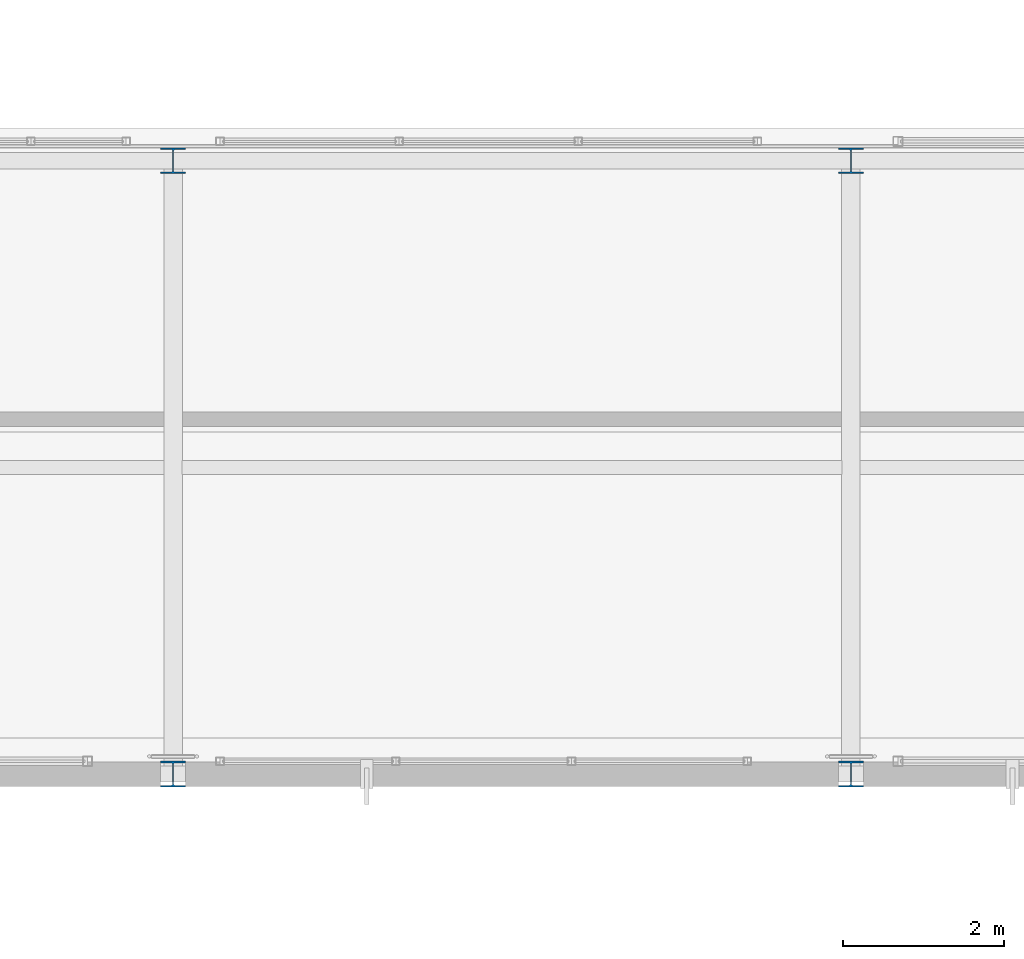
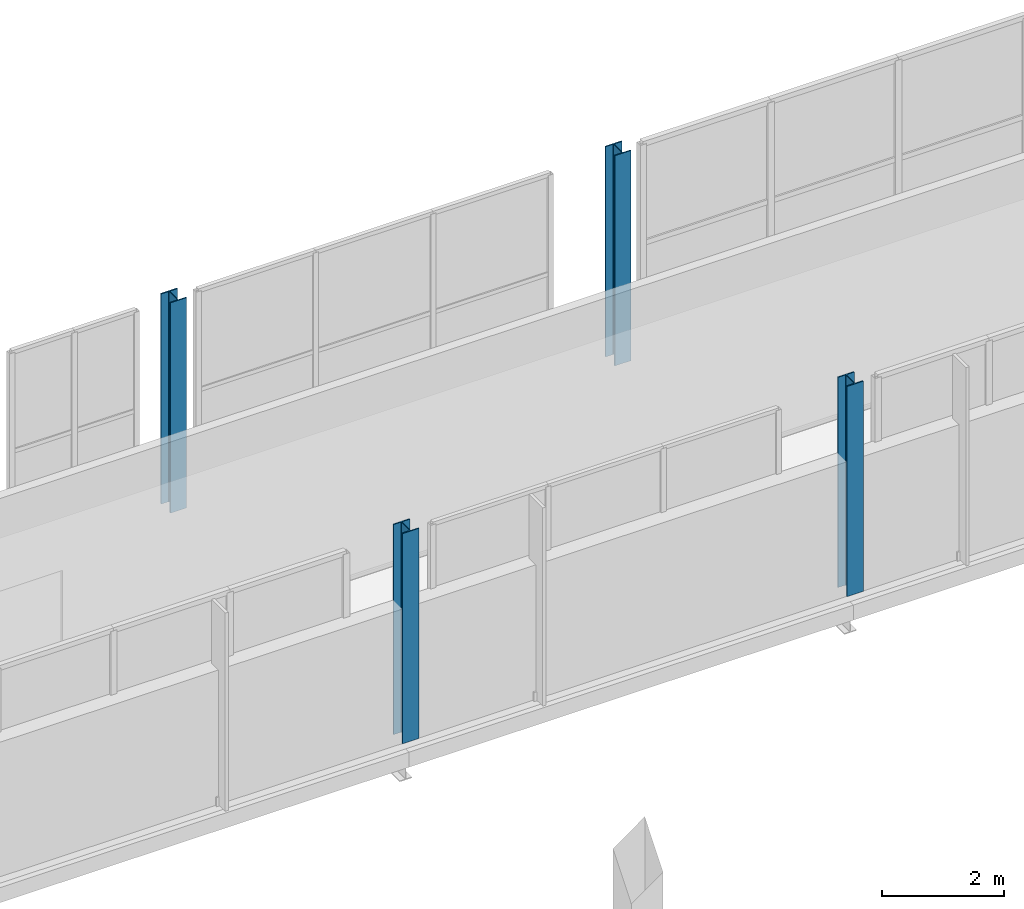
# One storey, part 5 of 151: 4 columns.
"""IFC4 building model written with IfcOpenShell, lengths in metres."""

from ifc_helpers import new_model, si_unit, direction, frame, origin, origin_2d, place, context, subcontext, project, spatial, i_section, extrude, material, material_profile, profile_set, type_object, element, save


model = new_model("IFC4")

# Units and contexts
model_context = context("Model", 3, precision=1e-05, world=origin(), true_north=direction((0.0, 1.0)))
body_context = subcontext(model_context, "Body", "Model", "MODEL_VIEW")
ifc_project = project(units=[si_unit("LENGTHUNIT", "METRE"), si_unit("AREAUNIT", "SQUARE_METRE"), si_unit("VOLUMEUNIT", "CUBIC_METRE"), si_unit("PLANEANGLEUNIT", "RADIAN"), si_unit("MASSUNIT", "GRAM", prefix="KILO")], contexts=[model_context])

# Site, building, storey
site_placement = place(None, origin())
site = spatial("IfcSite", under=ifc_project, at=site_placement, CompositionType="ELEMENT")
building_placement = place(site_placement, origin())
building = spatial("IfcBuilding", under=site, at=building_placement, Name="Zuvorla Pavilion Media Centre", CompositionType="ELEMENT")
storey_placement = place(building_placement, frame((0.0, 0.0, 13.800048828125)))
storey = spatial("IfcBuildingStorey", under=building, at=storey_placement, Name="L03", CompositionType="ELEMENT", Elevation=13.800048828125)

# Columns
ifc_material = material(Name="Steel S355", Category="steel")
ifc_material_profile = material_profile(ifc_material, i_section(OverallWidth=0.30908203125, OverallDepth=0.320556640625, WebThickness=0.013916015625, FlangeThickness=0.021728515625, FilletRadius=0.01513671875, at=origin_2d()), Name="UC 305x305x137")
ifc_profile_set = profile_set([ifc_material_profile], Name="Steel S355")
column_type = type_object("IfcColumnType", Name="COL-UC305", PredefinedType="COLUMN", material=ifc_profile_set)
for number, where, z_axis, x_axis, name in (
    (1, (125.60009765625, 44.0, 0.0), (0.0, 0.0, 1.0), (1.0, 0.0, 0.0), "L03 column C10 552"),
    (2, (134.0, 44.0, 0.0), (0.0, 0.0, 1.0), (1.0, 0.0, 0.0), "L03 column C10 557"),
    (3, (125.60009765625, 51.60009765625, 0.0), (0.0, 0.0, 1.0), (1.0, 0.0, 0.0), "L03 column C10 642"),
    (4, (134.0, 51.60009765625, 0.0), (0.0, 0.0, 1.0), (1.0, 0.0, 0.0), "L03 column C10 647"),
):
    element("IfcColumn", number, at=place(storey_placement, frame(where, z_axis=z_axis, x_axis=x_axis)), inside=storey, type_object=column_type, Name=name, PredefinedType="COLUMN", context=body_context, shape_type="SweptSolid", body=[
        extrude(i_section(OverallWidth=0.30908203125, OverallDepth=0.320556640625, WebThickness=0.013916015625, FlangeThickness=0.021728515625, FilletRadius=0.01513671875, at=origin_2d()), origin(), (0.0, 0.0, 1.0), 4.199951171875),
    ])

save(model, "model.ifc")
